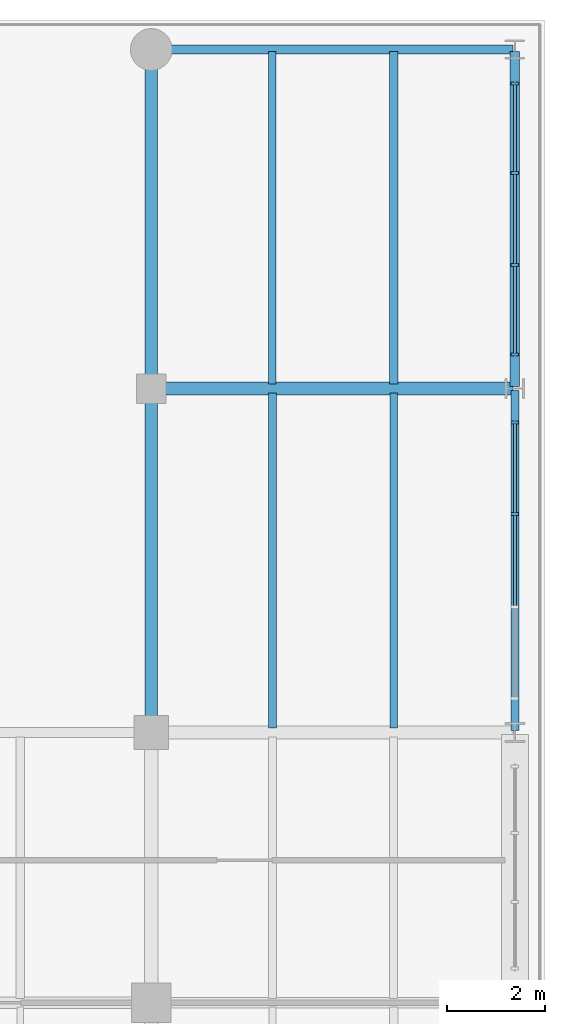
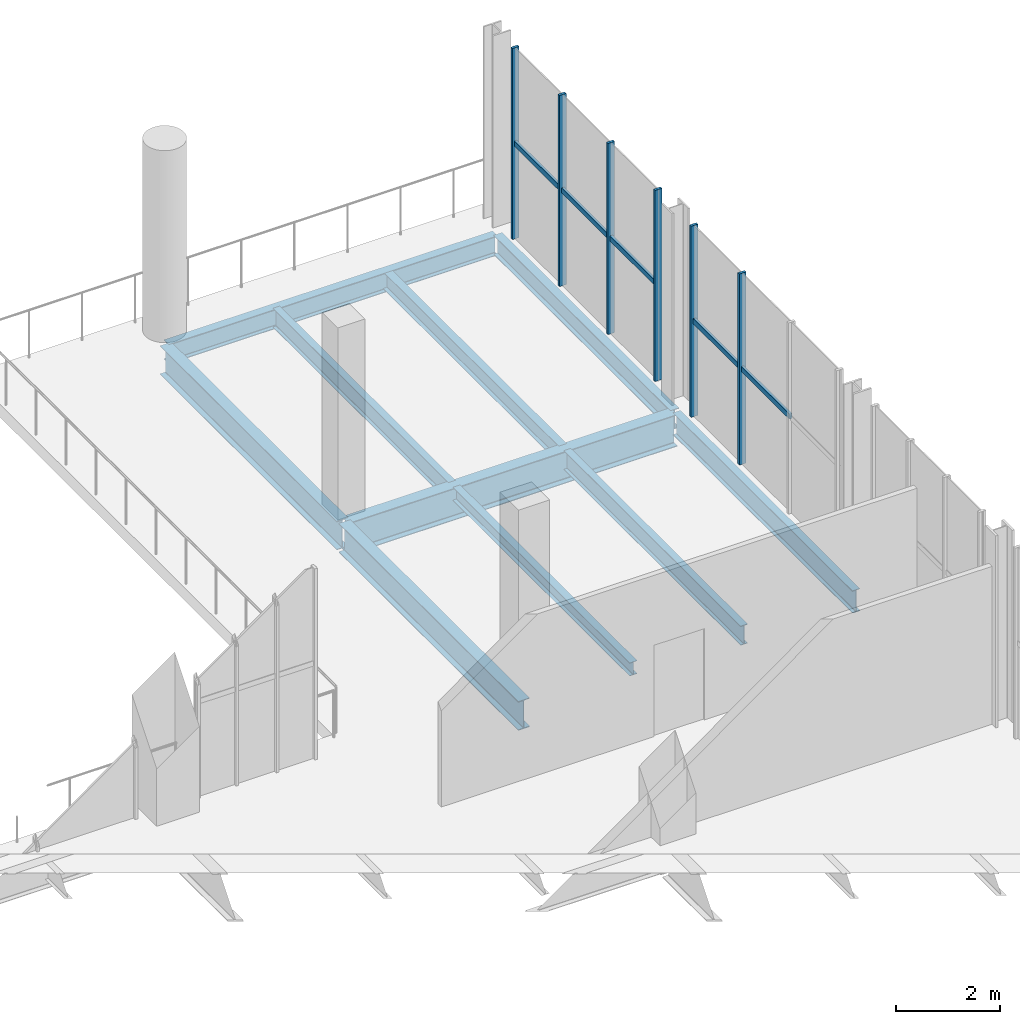
# One storey, part 58 of 93: 11 members, 10 beams, 2 elements without a shape of their own.
"""IFC4 building model written with IfcOpenShell, lengths in metres."""

from ifc_helpers import new_model, si_unit, direction, frame, origin, origin_2d, place, context, subcontext, project, spatial, rectangle, i_section, extrude, material, material_profile, profile_set, type_object, element, aggregate, save


model = new_model("IFC4")

# Units and contexts
model_context = context("Model", 3, precision=1e-05, world=origin(), true_north=direction((0.0, 1.0)))
body_context = subcontext(model_context, "Body", "Model", "MODEL_VIEW")
ifc_project = project(units=[si_unit("LENGTHUNIT", "METRE"), si_unit("AREAUNIT", "SQUARE_METRE"), si_unit("VOLUMEUNIT", "CUBIC_METRE"), si_unit("PLANEANGLEUNIT", "RADIAN"), si_unit("MASSUNIT", "GRAM", prefix="KILO")], contexts=[model_context])

# Site, building, storey
site_placement = place(None, origin())
site = spatial("IfcSite", under=ifc_project, at=site_placement, CompositionType="ELEMENT")
building_placement = place(site_placement, origin())
building = spatial("IfcBuilding", under=site, at=building_placement, Name="Brisemont Oceanarium", CompositionType="ELEMENT")
storey_placement = place(building_placement, frame((0.0, 0.0, 5.39990234375)))
storey = spatial("IfcBuildingStorey", under=building, at=storey_placement, Name="L01", CompositionType="ELEMENT", Elevation=5.39990234375)

# Beams
ifc_material_1 = material(Name="Structural Steel ASTM A992 Gr.50", Category="steel")
ifc_material_profile_1 = material_profile(ifc_material_1, i_section(OverallWidth=0.1650390625, OverallDepth=0.31005859375, WebThickness=0.005859375, FlangeThickness=0.009765625, FilletRadius=0.008056640625, at=origin_2d()), Name="W12X26")
ifc_profile_set_1 = profile_set([ifc_material_profile_1], Name="Structural Steel ASTM A992 Gr.50")
beam_type_1 = type_object("IfcBeamType", Name="BM-W12X26", PredefinedType="JOIST", material=ifc_profile_set_1)
beam_1_placement = place(storey_placement, frame((154.466796875, 93.590087890625, -0.454833984375), z_axis=(0.0, 1.0, 0.0), x_axis=(-1.0, 0.0, 0.0)))
element("IfcBeam", 1, at=beam_1_placement, inside=storey, type_object=beam_type_1, Name="V6 L01 secondary floor beam", PredefinedType="JOIST", context=body_context, shape_type="SweptSolid", body=[
    extrude(i_section(OverallWidth=0.1650390625, OverallDepth=0.31005859375, WebThickness=0.005859375, FlangeThickness=0.009765625, FilletRadius=0.008056640625, at=origin_2d()), origin(), (0.0, 0.0, 1.0), 6.81982421875),
])
ifc_material_2 = material(Name="Structural Steel ASTM A992 Gr.50", Category="steel")
ifc_material_profile_2 = material_profile(ifc_material_2, i_section(OverallWidth=0.177978515625, OverallDepth=0.404052734375, WebThickness=0.007568359375, FlangeThickness=0.010986328125, FilletRadius=0.010009765625, at=origin_2d()), Name="W16X36")
ifc_profile_set_2 = profile_set([ifc_material_profile_2], Name="Structural Steel ASTM A992 Gr.50")
beam_type_2 = type_object("IfcBeamType", Name="BM-W16X36", PredefinedType="JOIST", material=ifc_profile_set_2)
beam_2_placement = place(storey_placement, frame((156.933349609375, 100.590087890625, -0.501953125), z_axis=(0.0, 1.0, 0.0), x_axis=(-1.0, 0.0, 0.0)))
element("IfcBeam", 2, at=beam_2_placement, inside=storey, type_object=beam_type_2, Name="V6 L01 secondary floor beam", PredefinedType="JOIST", context=body_context, shape_type="SweptSolid", body=[
    extrude(i_section(OverallWidth=0.177978515625, OverallDepth=0.404052734375, WebThickness=0.007568359375, FlangeThickness=0.010986328125, FilletRadius=0.010009765625, at=origin_2d()), origin(), (0.0, 0.0, 1.0), 6.77001953125),
])
ifc_material_3 = material(Name="Structural Steel ASTM A992 Gr.50", Category="steel")
ifc_material_profile_3 = material_profile(ifc_material_3, i_section(OverallWidth=0.153076171875, OverallDepth=0.455078125, WebThickness=0.008056640625, FlangeThickness=0.01318359375, FilletRadius=0.010986328125, at=origin_2d()), Name="W18X40")
ifc_profile_set_3 = profile_set([ifc_material_profile_3], Name="Structural Steel ASTM A992 Gr.50")
beam_type_3 = type_object("IfcBeamType", Name="BM-W18X40", PredefinedType="JOIST", material=ifc_profile_set_3)
beam_3_placement = place(storey_placement, frame((156.933349609375, 93.590087890625, -0.52734375), z_axis=(0.0, 1.0, 0.0), x_axis=(-1.0, 0.0, 0.0)))
element("IfcBeam", 3, at=beam_3_placement, inside=storey, type_object=beam_type_3, Name="V6 L01 secondary floor beam", PredefinedType="JOIST", context=body_context, shape_type="SweptSolid", body=[
    extrude(i_section(OverallWidth=0.153076171875, OverallDepth=0.455078125, WebThickness=0.008056640625, FlangeThickness=0.01318359375, FilletRadius=0.010986328125, at=origin_2d()), origin(), (0.0, 0.0, 1.0), 6.81982421875),
])
beam_4_placement = place(storey_placement, frame((154.466796875, 100.590087890625, -0.52734375), z_axis=(0.0, 1.0, 0.0), x_axis=(-1.0, 0.0, 0.0)))
element("IfcBeam", 4, at=beam_4_placement, inside=storey, type_object=beam_type_3, Name="V6 L01 secondary floor beam", PredefinedType="JOIST", context=body_context, shape_type="SweptSolid", body=[
    extrude(i_section(OverallWidth=0.153076171875, OverallDepth=0.455078125, WebThickness=0.008056640625, FlangeThickness=0.01318359375, FilletRadius=0.010986328125, at=origin_2d()), origin(), (0.0, 0.0, 1.0), 6.77001953125),
])
ifc_material_4 = material(Name="Structural Steel ASTM A992 Gr.50", Category="steel")
ifc_material_profile_4 = material_profile(ifc_material_4, i_section(OverallWidth=0.19091796875, OverallDepth=0.4599609375, WebThickness=0.010009765625, FlangeThickness=0.01611328125, FilletRadius=0.010986328125, at=origin_2d()), Name="W18X55")
ifc_profile_set_4 = profile_set([ifc_material_profile_4], Name="Structural Steel ASTM A992 Gr.50")
beam_type_4 = type_object("IfcBeamType", Name="BM-W18X55", PredefinedType="SPANDREL", material=ifc_profile_set_4)
beam_5_placement = place(storey_placement, frame((152.0400390625, 107.39990234375, -0.52978515625), z_axis=(1.0, 0.0, 0.0), x_axis=(0.0, 1.0, 0.0)))
element("IfcBeam", 5, at=beam_5_placement, inside=storey, type_object=beam_type_4, Name="V6 L01 EW girder", PredefinedType="SPANDREL", context=body_context, shape_type="SweptSolid", body=[
    extrude(i_section(OverallWidth=0.19091796875, OverallDepth=0.4599609375, WebThickness=0.010009765625, FlangeThickness=0.01611328125, FilletRadius=0.010986328125, at=origin_2d()), origin(), (0.0, 0.0, 1.0), 7.320068359375),
])
beam_6_placement = place(storey_placement, frame((159.39990234375, 100.5400390625, -0.52978515625), z_axis=(0.0, 1.0, 0.0), x_axis=(-1.0, 0.0, 0.0)))
element("IfcBeam", 6, at=beam_6_placement, inside=storey, type_object=beam_type_4, Name="V6 L01 NS girder", PredefinedType="SPANDREL", context=body_context, shape_type="SweptSolid", body=[
    extrude(i_section(OverallWidth=0.19091796875, OverallDepth=0.4599609375, WebThickness=0.010009765625, FlangeThickness=0.01611328125, FilletRadius=0.010986328125, at=origin_2d()), origin(), (0.0, 0.0, 1.0), 6.820068359375),
])
ifc_material_5 = material(Name="Structural Steel ASTM A992 Gr.50", Category="steel")
ifc_material_profile_5 = material_profile(ifc_material_5, i_section(OverallWidth=0.166015625, OverallDepth=0.528076171875, WebThickness=0.009765625, FlangeThickness=0.013671875, FilletRadius=0.012939453125, at=origin_2d()), Name="W21X50")
ifc_profile_set_5 = profile_set([ifc_material_profile_5], Name="Structural Steel ASTM A992 Gr.50")
beam_type_5 = type_object("IfcBeamType", Name="BM-W21X50", PredefinedType="SPANDREL", material=ifc_profile_set_5)
beam_7_placement = place(storey_placement, frame((159.39990234375, 93.5400390625, -0.56396484375), z_axis=(0.0, 1.0, 0.0), x_axis=(-1.0, 0.0, 0.0)))
element("IfcBeam", 7, at=beam_7_placement, inside=storey, type_object=beam_type_5, Name="V6 L01 NS girder", PredefinedType="SPANDREL", context=body_context, shape_type="SweptSolid", body=[
    extrude(i_section(OverallWidth=0.166015625, OverallDepth=0.528076171875, WebThickness=0.009765625, FlangeThickness=0.013671875, FilletRadius=0.012939453125, at=origin_2d()), origin(), (0.0, 0.0, 1.0), 6.919921875),
])
ifc_material_6 = material(Name="Structural Steel ASTM A992 Gr.50", Category="steel")
ifc_material_profile_6 = material_profile(ifc_material_6, i_section(OverallWidth=0.2529296875, OverallDepth=0.677978515625, WebThickness=0.01171875, FlangeThickness=0.016357421875, FilletRadius=0.014892578125, at=origin_2d()), Name="W27X84")
ifc_profile_set_6 = profile_set([ifc_material_profile_6], Name="Structural Steel ASTM A992 Gr.50")
beam_type_6 = type_object("IfcBeamType", Name="BM-W27X84", PredefinedType="BEAM", material=ifc_profile_set_6)
beam_8_placement = place(storey_placement, frame((152.0, 100.5400390625, -0.638916015625), z_axis=(0.0, 1.0, 0.0), x_axis=(-1.0, 0.0, 0.0)))
element("IfcBeam", 8, at=beam_8_placement, inside=storey, type_object=beam_type_6, Name="V6 L01 NS girder", PredefinedType="BEAM", context=body_context, shape_type="SweptSolid", body=[
    extrude(i_section(OverallWidth=0.2529296875, OverallDepth=0.677978515625, WebThickness=0.01171875, FlangeThickness=0.016357421875, FilletRadius=0.014892578125, at=origin_2d()), origin(), (0.0, 0.0, 1.0), 6.820068359375),
])
ifc_material_7 = material(Name="Structural Steel ASTM A992 Gr.50", Category="steel")
ifc_material_profile_7 = material_profile(ifc_material_7, i_section(OverallWidth=0.25390625, OverallDepth=0.68310546875, WebThickness=0.012451171875, FlangeThickness=0.018798828125, FilletRadius=0.014892578125, at=origin_2d()), Name="W27X94")
ifc_profile_set_7 = profile_set([ifc_material_profile_7], Name="Structural Steel ASTM A992 Gr.50")
beam_type_7 = type_object("IfcBeamType", Name="BM-W27X94", PredefinedType="BEAM", material=ifc_profile_set_7)
beam_9_placement = place(storey_placement, frame((152.0, 93.5400390625, -0.641357421875), z_axis=(0.0, 1.0, 0.0), x_axis=(-1.0, 0.0, 0.0)))
element("IfcBeam", 9, at=beam_9_placement, inside=storey, type_object=beam_type_7, Name="V6 L01 NS girder", PredefinedType="BEAM", context=body_context, shape_type="SweptSolid", body=[
    extrude(i_section(OverallWidth=0.25390625, OverallDepth=0.68310546875, WebThickness=0.012451171875, FlangeThickness=0.018798828125, FilletRadius=0.014892578125, at=origin_2d()), origin(), (0.0, 0.0, 1.0), 6.919921875),
])
ifc_material_8 = material(Name="Structural Steel ASTM A992 Gr.50", Category="steel")
ifc_material_profile_8 = material_profile(ifc_material_8, i_section(OverallWidth=0.264892578125, OverallDepth=0.7529296875, WebThickness=0.01318359375, FlangeThickness=0.01708984375, FilletRadius=0.01611328125, at=origin_2d()), Name="W30X99")
ifc_profile_set_8 = profile_set([ifc_material_profile_8], Name="Structural Steel ASTM A992 Gr.50")
beam_type_8 = type_object("IfcBeamType", Name="BM-W30X99", PredefinedType="BEAM", material=ifc_profile_set_8)
beam_10_placement = place(storey_placement, frame((152.0400390625, 100.5, -0.676513671875), z_axis=(1.0, 0.0, 0.0), x_axis=(0.0, 1.0, 0.0)))
element("IfcBeam", 10, at=beam_10_placement, inside=storey, type_object=beam_type_8, Name="V6 L01 EW girder", PredefinedType="BEAM", context=body_context, shape_type="SweptSolid", body=[
    extrude(i_section(OverallWidth=0.264892578125, OverallDepth=0.7529296875, WebThickness=0.01318359375, FlangeThickness=0.01708984375, FilletRadius=0.01611328125, at=origin_2d()), origin(), (0.0, 0.0, 1.0), 7.320068359375),
])

# Curtain wall, members
ifc_material_9 = material(Name="Anodized Extruded Aluminum 6063-T6", Category="aluminium")
curtain_wall_type = type_object("IfcCurtainWallType", Name="CW-RES-61X43", PredefinedType="NOTDEFINED", material=ifc_material_9)
curtain_wall_1_placement = place(storey_placement, origin())
curtain_wall_1 = element("IfcCurtainWall", 11, at=curtain_wall_1_placement, inside=storey, type_object=curtain_wall_type, Name="CW-17 curtain wall CW-V6-E-L01-03", PredefinedType="NOTDEFINED")
ifc_material_10 = material(Name="Anodized Extruded Aluminum 6063-T6", Category="aluminium")
ifc_material_profile_9 = material_profile(ifc_material_10, rectangle(XDim=0.06005859375, YDim=0.14990234375, at=origin_2d()), Name="CWM-60X150")
ifc_profile_set_9 = profile_set([ifc_material_profile_9], Name="Anodized Extruded Aluminum 6063-T6")
member_type_1 = type_object("IfcMemberType", Name="MEM-CWM-60", PredefinedType="MULLION", material=ifc_profile_set_9)
member_1_placement = place(storey_placement, frame((159.39990234375, 97.949951171875, 0.0), z_axis=(0.0, 0.0, 1.0), x_axis=(0.0, 1.0, 0.0)))
member_1 = element("IfcMember", 12, at=member_1_placement, type_object=member_type_1, Name="CW-V6-E-L01-03 mullion 3", PredefinedType="MULLION", context=body_context, shape_type="SweptSolid", body=[
    extrude(rectangle(XDim=0.06005859375, YDim=0.14990234375, at=origin_2d()), origin(), (0.0, 0.0, 1.0), 4.5),
])
member_2_placement = place(storey_placement, frame((159.39990234375, 99.804931640625, 0.0), z_axis=(0.0, 0.0, 1.0), x_axis=(0.0, 1.0, 0.0)))
member_2 = element("IfcMember", 13, at=member_2_placement, type_object=member_type_1, Name="CW-V6-E-L01-03 mullion 4", PredefinedType="MULLION", context=body_context, shape_type="SweptSolid", body=[
    extrude(rectangle(XDim=0.06005859375, YDim=0.14990234375, at=origin_2d()), origin(), (0.0, 0.0, 1.0), 4.5),
])

curtain_wall_2_placement = place(storey_placement, origin())
curtain_wall_2 = element("IfcCurtainWall", 14, at=curtain_wall_2_placement, inside=storey, type_object=curtain_wall_type, Name="CW-17 curtain wall CW-V6-E-L01-04", PredefinedType="NOTDEFINED")
member_3_placement = place(storey_placement, frame((159.39990234375, 101.195068359375, 0.0), z_axis=(0.0, 0.0, 1.0), x_axis=(0.0, 1.0, 0.0)))
member_3 = element("IfcMember", 15, at=member_3_placement, type_object=member_type_1, Name="CW-V6-E-L01-04 mullion 1", PredefinedType="MULLION", context=body_context, shape_type="SweptSolid", body=[
    extrude(rectangle(XDim=0.06005859375, YDim=0.14990234375, at=origin_2d()), origin(), (0.0, 0.0, 1.0), 4.5),
])
member_4_placement = place(storey_placement, frame((159.39990234375, 103.0166015625, 0.0), z_axis=(0.0, 0.0, 1.0), x_axis=(0.0, 1.0, 0.0)))
member_4 = element("IfcMember", 16, at=member_4_placement, type_object=member_type_1, Name="CW-V6-E-L01-04 mullion 2", PredefinedType="MULLION", context=body_context, shape_type="SweptSolid", body=[
    extrude(rectangle(XDim=0.06005859375, YDim=0.14990234375, at=origin_2d()), origin(), (0.0, 0.0, 1.0), 4.5),
])
member_5_placement = place(storey_placement, frame((159.39990234375, 104.88330078125, 0.0), z_axis=(0.0, 0.0, 1.0), x_axis=(0.0, 1.0, 0.0)))
member_5 = element("IfcMember", 17, at=member_5_placement, type_object=member_type_1, Name="CW-V6-E-L01-04 mullion 3", PredefinedType="MULLION", context=body_context, shape_type="SweptSolid", body=[
    extrude(rectangle(XDim=0.06005859375, YDim=0.14990234375, at=origin_2d()), origin(), (0.0, 0.0, 1.0), 4.5),
])
member_6_placement = place(storey_placement, frame((159.39990234375, 106.705078125, 0.0), z_axis=(0.0, 0.0, 1.0), x_axis=(0.0, 1.0, 0.0)))
member_6 = element("IfcMember", 18, at=member_6_placement, type_object=member_type_1, Name="CW-V6-E-L01-04 mullion 4", PredefinedType="MULLION", context=body_context, shape_type="SweptSolid", body=[
    extrude(rectangle(XDim=0.06005859375, YDim=0.14990234375, at=origin_2d()), origin(), (0.0, 0.0, 1.0), 4.5),
])

# Member
ifc_material_11 = material(Name="Anodized Extruded Aluminum 6063-T6", Category="aluminium")
ifc_material_profile_10 = material_profile(ifc_material_11, rectangle(XDim=0.06005859375, YDim=0.1201171875, at=origin_2d()), Name="CWT-60X120")
ifc_profile_set_10 = profile_set([ifc_material_profile_10], Name="Anodized Extruded Aluminum 6063-T6")
member_type_2 = type_object("IfcMemberType", Name="MEM-CWT-60", PredefinedType="USERDEFINED", material=ifc_profile_set_10)
member_7_placement = place(storey_placement, frame((159.39990234375, 96.06494140625, 2.25), z_axis=(0.0, 1.0, 0.0), x_axis=(-1.0, 0.0, 0.0)))
member_7 = element("IfcMember", 19, at=member_7_placement, type_object=member_type_2, Name="CW-V6-E-L01-03 transom 2.1", ObjectType="TRANSOM", PredefinedType="USERDEFINED", context=body_context, shape_type="SweptSolid", body=[
    extrude(rectangle(XDim=0.06005859375, YDim=0.1201171875, at=origin_2d()), origin(), (0.0, 0.0, 1.0), 1.8701171875),
])

member_8_placement = place(storey_placement, frame((159.39990234375, 97.965087890625, 2.25), z_axis=(0.0, 1.0, 0.0), x_axis=(-1.0, 0.0, 0.0)))
member_8 = element("IfcMember", 20, at=member_8_placement, type_object=member_type_2, Name="CW-V6-E-L01-03 transom 3.1", ObjectType="TRANSOM", PredefinedType="USERDEFINED", context=body_context, shape_type="SweptSolid", body=[
    extrude(rectangle(XDim=0.06005859375, YDim=0.1201171875, at=origin_2d()), origin(), (0.0, 0.0, 1.0), 1.869873046875),
])

aggregate(curtain_wall_1, [member_1, member_2, member_7, member_8])

member_9_placement = place(storey_placement, frame((159.39990234375, 101.1650390625, 2.25), z_axis=(0.0, 1.0, 0.0), x_axis=(-1.0, 0.0, 0.0)))
member_9 = element("IfcMember", 21, at=member_9_placement, type_object=member_type_2, Name="CW-V6-E-L01-04 transom 1.1", ObjectType="TRANSOM", PredefinedType="USERDEFINED", context=body_context, shape_type="SweptSolid", body=[
    extrude(rectangle(XDim=0.06005859375, YDim=0.1201171875, at=origin_2d()), origin(), (0.0, 0.0, 1.0), 1.836669921875),
])

member_10_placement = place(storey_placement, frame((159.39990234375, 103.03173828125, 2.25), z_axis=(0.0, 1.0, 0.0), x_axis=(-1.0, 0.0, 0.0)))
member_10 = element("IfcMember", 22, at=member_10_placement, type_object=member_type_2, Name="CW-V6-E-L01-04 transom 2.1", ObjectType="TRANSOM", PredefinedType="USERDEFINED", context=body_context, shape_type="SweptSolid", body=[
    extrude(rectangle(XDim=0.06005859375, YDim=0.1201171875, at=origin_2d()), origin(), (0.0, 0.0, 1.0), 1.836669921875),
])

member_11_placement = place(storey_placement, frame((159.39990234375, 104.898193359375, 2.25), z_axis=(0.0, 1.0, 0.0), x_axis=(-1.0, 0.0, 0.0)))
member_11 = element("IfcMember", 23, at=member_11_placement, type_object=member_type_2, Name="CW-V6-E-L01-04 transom 3.1", ObjectType="TRANSOM", PredefinedType="USERDEFINED", context=body_context, shape_type="SweptSolid", body=[
    extrude(rectangle(XDim=0.06005859375, YDim=0.1201171875, at=origin_2d()), origin(), (0.0, 0.0, 1.0), 1.8369140625),
])

aggregate(curtain_wall_2, [member_3, member_4, member_5, member_6, member_9, member_10, member_11])

save(model, "model.ifc")
